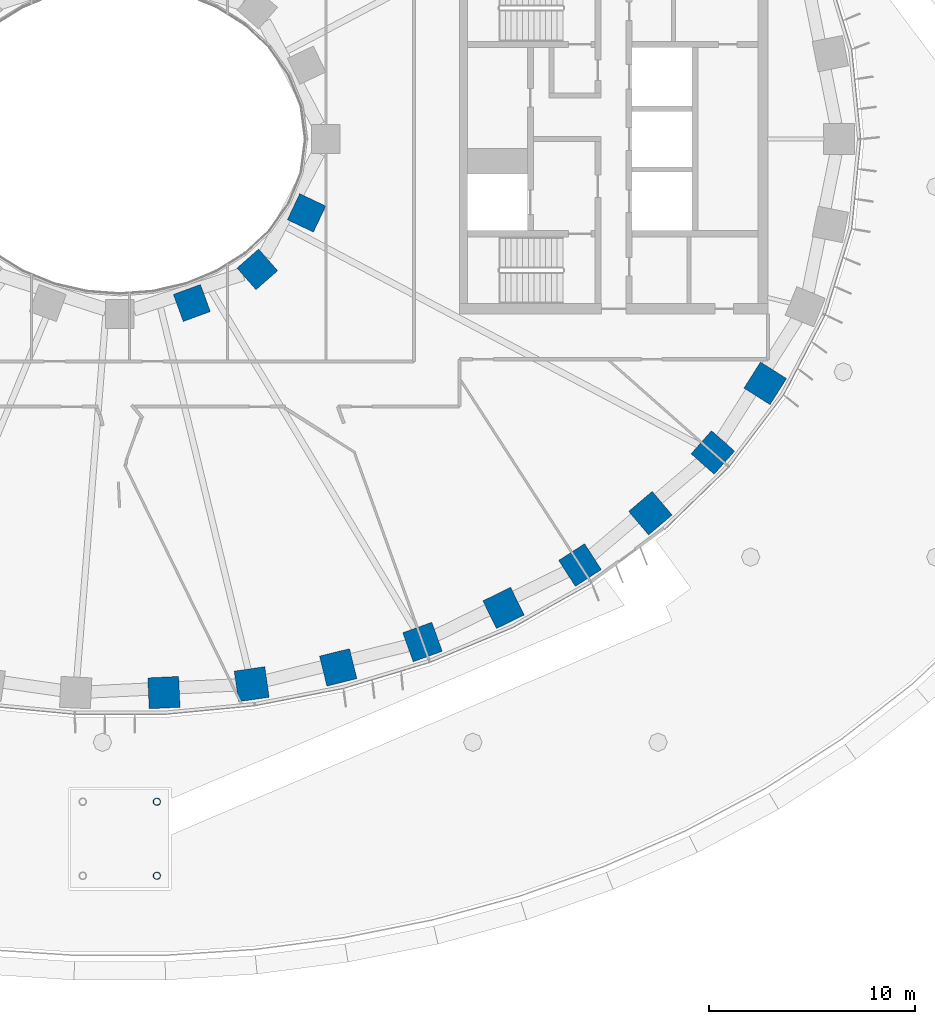
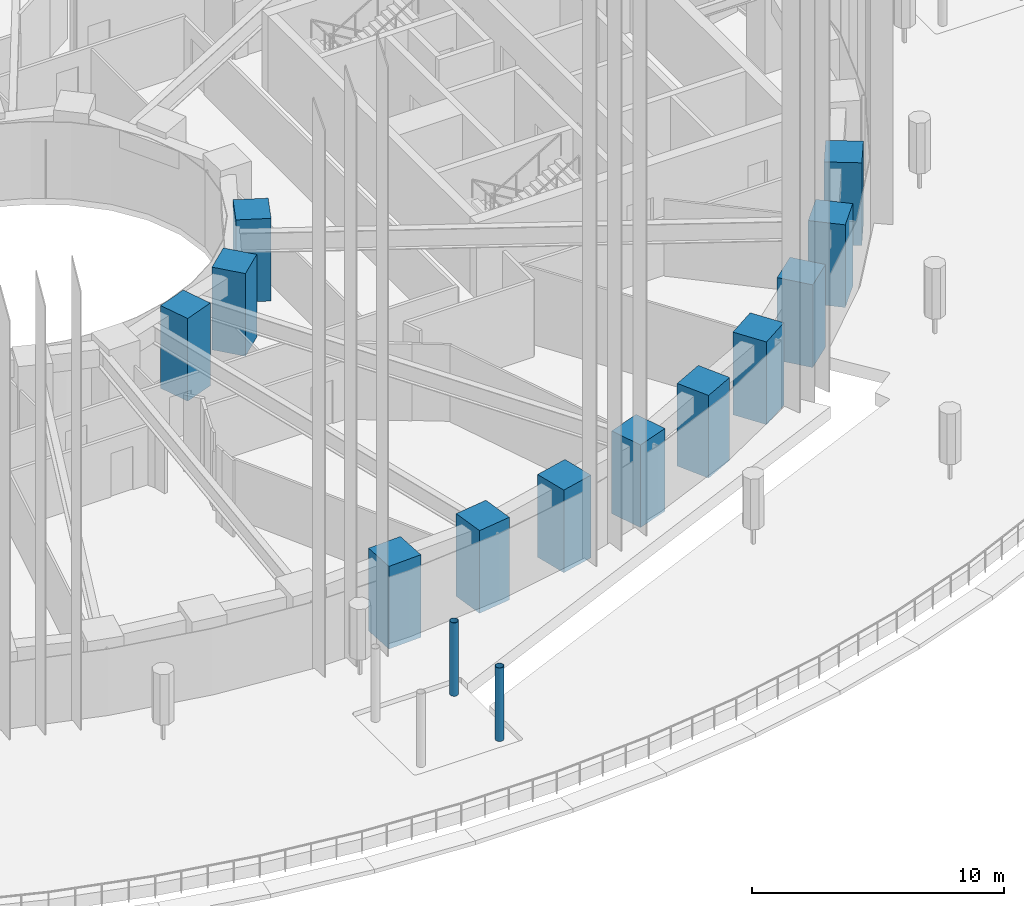
# One storey, part 5 of 30: 14 columns.
"""IFC4 building model written with IfcOpenShell, lengths in metres."""

from ifc_helpers import new_model, si_unit, direction, frame, origin, origin_2d, place, context, subcontext, project, spatial, rectangle, hollow_circle, extrude, material, material_profile, profile_set, type_object, element, save


model = new_model("IFC4")

# Units and contexts
model_context = context("Model", 3, precision=1e-05, world=origin(), true_north=direction((0.0, 1.0)))
body_context = subcontext(model_context, "Body", "Model", "MODEL_VIEW")
ifc_project = project(units=[si_unit("LENGTHUNIT", "METRE"), si_unit("AREAUNIT", "SQUARE_METRE"), si_unit("VOLUMEUNIT", "CUBIC_METRE"), si_unit("PLANEANGLEUNIT", "RADIAN"), si_unit("MASSUNIT", "GRAM", prefix="KILO")], contexts=[model_context])

# Site, building, storey
site_placement = place(None, origin())
site = spatial("IfcSite", under=ifc_project, at=site_placement, CompositionType="ELEMENT")
building_placement = place(site_placement, origin())
building = spatial("IfcBuilding", under=site, at=building_placement, Name="Noorbagh Ring Tower", CompositionType="ELEMENT")
storey_placement = place(building_placement, frame((0.0, 0.0, 30.5)))
storey = spatial("IfcBuildingStorey", under=building, at=storey_placement, Name="L05", CompositionType="ELEMENT", Elevation=30.5)

# Columns
ifc_material_1 = material(Name="Steel S355", Category="steel")
ifc_material_profile_1 = material_profile(ifc_material_1, hollow_circle(Radius=0.177734375, WallThickness=0.01611328125, at=origin_2d()), Name="CHS355.6x16")
ifc_profile_set_1 = profile_set([ifc_material_profile_1], Name="Steel S355")
column_type_1 = type_object("IfcColumnType", Name="GND-CHHATRI-COL", PredefinedType="COLUMN", material=ifc_profile_set_1)
for number, where, z_axis, x_axis, name in (
    (1, (1.800048828125, -35.800048828125, 0.449951171875), (0.0, 0.0, 1.0), (1.0, 0.0, 0.0), "Chhatri 4 column"),
    (2, (1.800048828125, -32.199951171875, 0.449951171875), (0.0, 0.0, 1.0), (1.0, 0.0, 0.0), "Chhatri 4 column"),
):
    element("IfcColumn", number, at=place(storey_placement, frame(where, z_axis=z_axis, x_axis=x_axis)), inside=storey, type_object=column_type_1, Name=name, PredefinedType="COLUMN", context=body_context, shape_type="SweptSolid", body=[
        extrude(hollow_circle(Radius=0.177734375, WallThickness=0.01611328125, at=origin_2d()), origin(), (0.0, 0.0, 1.0), 3.550048828125),
    ])
ifc_material_2 = material(Name="Concrete C70/85", Category="concrete")
ifc_material_profile_2 = material_profile(ifc_material_2, rectangle(XDim=1.5, YDim=1.5, at=origin_2d()), Name="RC1500x1500")
ifc_profile_set_2 = profile_set([ifc_material_profile_2], Name="Concrete C70/85")
column_type_2 = type_object("IfcColumnType", Name="STR-COL-RC1500x1500-C70-85", PredefinedType="COLUMN", material=ifc_profile_set_2)
for number, where, z_axis, x_axis, name in (
    (3, (2.14306640625, -26.89794921875, 0.0), (0.0, 0.0, 1.0), (0.998868731212, 0.047552684538, 0.0), "L05/col/R1-36"),
    (4, (6.4091796875, -26.49072265625, 0.0), (0.0, 0.0, 1.0), (0.989713114048, 0.143066249975, 0.0), "L05/col/R1-37"),
    (5, (10.61328125, -25.673583984375, 0.0), (0.0, 0.0, 1.0), (0.970829360981, 0.239771457553, 0.0), "L05/col/R1-38"),
    (6, (14.70947265625, -24.44091796875, 0.0), (0.0, 0.0, 1.0), (0.941024726094, 0.338337797003, 0.0), "L05/col/R1-39"),
    (7, (18.646240234375, -22.785400390625, 0.0), (0.0, 0.0, 1.0), (0.898399080868, 0.439180021741, 0.0), "L05/col/R1-40"),
    (8, (22.362060546875, -20.699951171875, 0.0), (0.0, 0.0, 1.0), (0.840247639643, 0.542202825586, 0.0), "L05/col/R1-41"),
    (9, (25.78271484375, -18.180419921875, 0.0), (0.0, 0.0, 1.0), (0.763035199656, 0.646356932419, 0.0), "L05/col/R1-42"),
    (10, (28.81884765625, -15.23046875, 0.0), (0.0, 0.0, 1.0), (0.662635642662, 0.748941923699, 0.0), "L05/col/R1-43"),
    (11, (31.364990234375, -11.87109375, 0.0), (0.0, 0.0, 1.0), (0.535190403059, 0.844731455833, 0.0), "L05/col/R1-44"),
):
    element("IfcColumn", number, at=place(storey_placement, frame(where, z_axis=z_axis, x_axis=x_axis)), inside=storey, type_object=column_type_2, Name=name, PredefinedType="COLUMN", context=body_context, shape_type="SweptSolid", body=[
        extrude(rectangle(XDim=1.5, YDim=1.5, at=origin_2d()), origin(), (0.0, 0.0, 1.0), 4.0),
    ])
ifc_material_3 = material(Name="Concrete C70/85", Category="concrete")
ifc_material_profile_3 = material_profile(ifc_material_3, rectangle(XDim=1.39990234375, YDim=1.39990234375, at=origin_2d()), Name="RC1400x1400")
ifc_profile_set_3 = profile_set([ifc_material_profile_3], Name="Concrete C70/85")
column_type_3 = type_object("IfcColumnType", Name="STR-ICOL-RC1400x1400-C70-85", PredefinedType="COLUMN", material=ifc_profile_set_3)
for number, where, z_axis, x_axis, name in (
    (12, (3.5009765625, -7.967041015625, 0.0), (0.0, 0.0, 1.0), (0.939019578916, 0.343863679984, 0.0), "L05/col/IR2-W27"),
    (13, (6.68212890625, -6.333740234375, 0.0), (0.0, 0.0, 1.0), (0.75102249095, 0.660276622399, 0.0), "L05/col/IR2-W29"),
    (14, (9.07568359375, -3.58837890625, 0.0), (0.0, 0.0, 1.0), (0.428666979171, 0.903462573087, 0.0), "L05/col/IR2-W31"),
):
    element("IfcColumn", number, at=place(storey_placement, frame(where, z_axis=z_axis, x_axis=x_axis)), inside=storey, type_object=column_type_3, Name=name, PredefinedType="COLUMN", context=body_context, shape_type="SweptSolid", body=[
        extrude(rectangle(XDim=1.39990234375, YDim=1.39990234375, at=origin_2d()), origin(), (0.0, 0.0, 1.0), 4.0),
    ])

save(model, "model.ifc")
